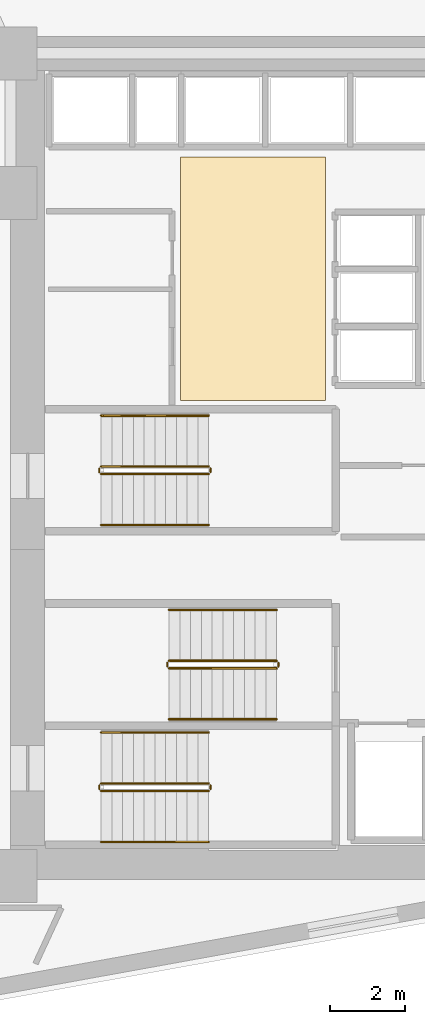
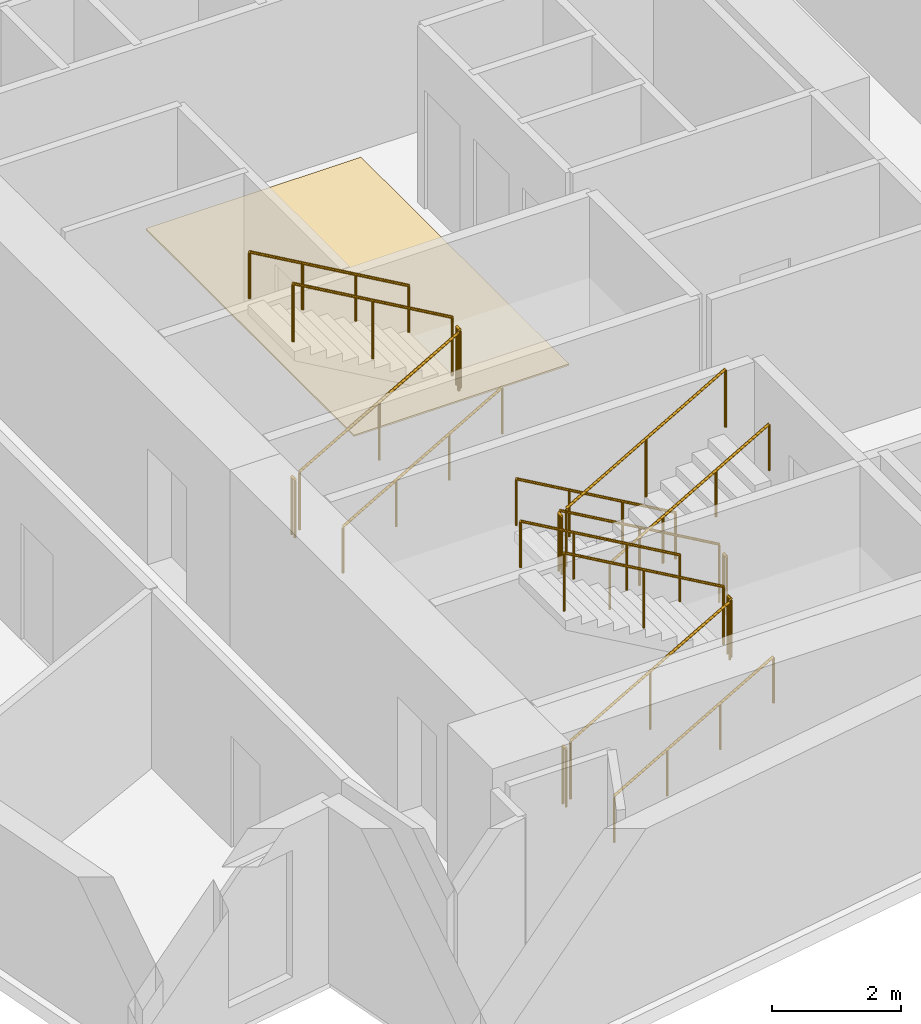
# One storey, part 17 of 18: 18 railings, 1 covering.
"""IFC4 building model written with IfcOpenShell, lengths in metres."""

from ifc_helpers import new_model, si_unit, direction, frame, origin, origin_2d, place, context, subcontext, project, spatial, polyline, circle, outline, extrude, material, layer, layer_set, type_object, element, save


model = new_model("IFC4")

# Units and contexts
model_context = context("Model", 3, precision=1e-05, world=origin(), true_north=direction((0.0, 1.0)))
body_context = subcontext(model_context, "Body", "Model", "MODEL_VIEW")
ifc_project = project(units=[si_unit("LENGTHUNIT", "METRE"), si_unit("AREAUNIT", "SQUARE_METRE"), si_unit("VOLUMEUNIT", "CUBIC_METRE"), si_unit("PLANEANGLEUNIT", "RADIAN"), si_unit("MASSUNIT", "GRAM", prefix="KILO")], contexts=[model_context])

# Site, building, storey
site_placement = place(None, origin())
site = spatial("IfcSite", under=ifc_project, at=site_placement, CompositionType="ELEMENT")
building_placement = place(site_placement, origin())
building = spatial("IfcBuilding", under=site, at=building_placement, Name="Narakoshi Arena Tower", CompositionType="ELEMENT")
storey_placement = place(building_placement, frame((0.0, 0.0, 102.89990234375)))
storey = spatial("IfcBuildingStorey", under=building, at=storey_placement, Name="L27", CompositionType="ELEMENT", Elevation=102.89990234375)

# Covering
ifc_material_1 = material(Name="Honed granite stone paving", Category="masonry")
ifc_layer = layer(ifc_material_1, 0.030029296875)
ifc_layer_set = layer_set([ifc_layer], Name="Honed granite stone paving")
covering_type = type_object("IfcCoveringType", Name="COV-FLR-ST30", PredefinedType="FLOORING", material=ifc_layer_set)
covering_placement = place(storey_placement, origin())
element("IfcCovering", 1, at=covering_placement, inside=storey, type_object=covering_type, Name="L27 Lift Lobby Granite Flooring", PredefinedType="FLOORING", context=body_context, shape_type="SweptSolid", body=[
    extrude(outline(polyline([(76.5, 47.300048828125), (80.35009765625, 47.300048828125), (80.35009765625, 53.75), (76.5, 53.75), (76.5, 47.300048828125)])), origin(), (0.0, 0.0, 1.0), 0.030029296875),
])

# Railings
ifc_material_2 = material(Name="Clear low-iron laminated structural glass", Category="glass")
railing_type_1 = type_object("IfcRailingType", Name="RL-BAL-1100", PredefinedType="BALUSTRADE", material=ifc_material_2)
railing_1_placement = place(storey_placement, frame((74.39990234375, 36.949951171875, 0.163818359375)))
element("IfcRailing", 2, at=railing_1_placement, inside=storey, type_object=railing_type_1, Name="L27 ST1 stair guard 1", PredefinedType="BALUSTRADE", context=body_context, shape_type="SweptSolid", body=[
    extrude(circle(Radius=0.02392578125, at=origin_2d()), frame((0.0, 0.0, 1.09619140625), z_axis=(0.867244780686, 0.0, 0.497882004468), x_axis=(0.0, 1.0, 0.0)), (0.0, 0.0, 1.0), 3.286376953125),
    extrude(circle(Radius=0.02099609375, at=origin_2d()), origin(), (0.0, 0.0, 1.0), 1.072021484375),
    extrude(circle(Radius=0.02099609375, at=origin_2d()), frame((1.425048828125, 0.0, 0.818115234375)), (0.0, 0.0, 1.0), 1.072021484375),
    extrude(circle(Radius=0.02099609375, at=origin_2d()), frame((2.85009765625, 0.0, 1.63623046875)), (0.0, 0.0, 1.0), 1.072021484375),
])
railing_2_placement = place(storey_placement, frame((77.300048828125, 37.0, 1.800048828125)))
element("IfcRailing", 3, at=railing_2_placement, inside=storey, type_object=railing_type_1, Name="L27 ST1 stair guard 2", PredefinedType="BALUSTRADE", context=body_context, shape_type="SweptSolid", body=[
    extrude(circle(Radius=0.02392578125, at=origin_2d()), frame((0.0, 0.0, 1.09619140625), z_axis=(0.0, 1.0, 0.0), x_axis=(-1.0, 0.0, 0.0)), (0.0, 0.0, 1.0), 0.10009765625),
    extrude(circle(Radius=0.02099609375, at=origin_2d()), origin(), (0.0, 0.0, 1.0), 1.072021484375),
    extrude(circle(Radius=0.02099609375, at=origin_2d()), frame((0.0, 0.10009765625, 0.0)), (0.0, 0.0, 1.0), 1.072021484375),
])
railing_3_placement = place(storey_placement, frame((77.25, 37.14990234375, 1.963623046875)))
element("IfcRailing", 4, at=railing_3_placement, inside=storey, type_object=railing_type_1, Name="L27 ST1 stair guard 3", PredefinedType="BALUSTRADE", context=body_context, shape_type="SweptSolid", body=[
    extrude(circle(Radius=0.02392578125, at=origin_2d()), frame((0.0, 0.0, 1.09619140625), z_axis=(-0.86721270334, 0.0, 0.497937874806), x_axis=(0.0, -1.0, 0.0)), (0.0, 0.0, 1.0), 3.28662109375),
    extrude(circle(Radius=0.02099609375, at=origin_2d()), origin(), (0.0, 0.0, 1.0), 1.072021484375),
    extrude(circle(Radius=0.02099609375, at=origin_2d()), frame((-1.425048828125, 0.0, 0.818359375)), (0.0, 0.0, 1.0), 1.072021484375),
    extrude(circle(Radius=0.02099609375, at=origin_2d()), frame((-2.85009765625, 0.0, 1.636474609375)), (0.0, 0.0, 1.0), 1.072021484375),
])
railing_4_placement = place(storey_placement, frame((74.35009765625, 37.0, 0.0)))
element("IfcRailing", 5, at=railing_4_placement, inside=storey, type_object=railing_type_1, Name="L27 ST1 stair guard 4", PredefinedType="BALUSTRADE", context=body_context, shape_type="SweptSolid", body=[
    extrude(circle(Radius=0.02392578125, at=origin_2d()), frame((0.0, 0.0, 1.09619140625), z_axis=(0.0, 1.0, 0.0), x_axis=(-1.0, 0.0, 0.0)), (0.0, 0.0, 1.0), 0.10009765625),
    extrude(circle(Radius=0.02099609375, at=origin_2d()), origin(), (0.0, 0.0, 1.0), 1.072021484375),
    extrude(circle(Radius=0.02099609375, at=origin_2d()), frame((0.0, 0.10009765625, 0.0)), (0.0, 0.0, 1.0), 1.072021484375),
])
railing_5_placement = place(storey_placement, frame((79.050048828125, 40.39990234375, 0.163818359375)))
element("IfcRailing", 6, at=railing_5_placement, inside=storey, type_object=railing_type_1, Name="L27 ST2 stair guard 1", PredefinedType="BALUSTRADE", context=body_context, shape_type="SweptSolid", body=[
    extrude(circle(Radius=0.02392578125, at=origin_2d()), frame((0.0, 0.0, 1.09619140625), z_axis=(-0.867244780686, 0.0, 0.497882004468), x_axis=(0.0, -1.0, 0.0)), (0.0, 0.0, 1.0), 3.286376953125),
    extrude(circle(Radius=0.02099609375, at=origin_2d()), origin(), (0.0, 0.0, 1.0), 1.072021484375),
    extrude(circle(Radius=0.02099609375, at=origin_2d()), frame((-1.425048828125, 0.0, 0.818115234375)), (0.0, 0.0, 1.0), 1.072021484375),
    extrude(circle(Radius=0.02099609375, at=origin_2d()), frame((-2.85009765625, 0.0, 1.63623046875)), (0.0, 0.0, 1.0), 1.072021484375),
])
railing_6_placement = place(storey_placement, frame((76.14990234375, 40.35009765625, 1.800048828125)))
element("IfcRailing", 7, at=railing_6_placement, inside=storey, type_object=railing_type_1, Name="L27 ST2 stair guard 2", PredefinedType="BALUSTRADE", context=body_context, shape_type="SweptSolid", body=[
    extrude(circle(Radius=0.02392578125, at=origin_2d()), frame((0.0, 0.0, 1.09619140625), z_axis=(0.0, -1.0, 0.0), x_axis=(1.0, 0.0, 0.0)), (0.0, 0.0, 1.0), 0.10009765625),
    extrude(circle(Radius=0.02099609375, at=origin_2d()), origin(), (0.0, 0.0, 1.0), 1.072021484375),
    extrude(circle(Radius=0.02099609375, at=origin_2d()), frame((0.0, -0.10009765625, 0.0)), (0.0, 0.0, 1.0), 1.072021484375),
])
railing_7_placement = place(storey_placement, frame((76.199951171875, 40.199951171875, 1.963623046875)))
element("IfcRailing", 8, at=railing_7_placement, inside=storey, type_object=railing_type_1, Name="L27 ST2 stair guard 3", PredefinedType="BALUSTRADE", context=body_context, shape_type="SweptSolid", body=[
    extrude(circle(Radius=0.02392578125, at=origin_2d()), frame((0.0, 0.0, 1.09619140625), z_axis=(0.86721270334, 0.0, 0.497937874806), x_axis=(0.0, 1.0, 0.0)), (0.0, 0.0, 1.0), 3.28662109375),
    extrude(circle(Radius=0.02099609375, at=origin_2d()), origin(), (0.0, 0.0, 1.0), 1.072021484375),
    extrude(circle(Radius=0.02099609375, at=origin_2d()), frame((1.425048828125, 0.0, 0.818359375)), (0.0, 0.0, 1.0), 1.072021484375),
    extrude(circle(Radius=0.02099609375, at=origin_2d()), frame((2.85009765625, 0.0, 1.636474609375)), (0.0, 0.0, 1.0), 1.072021484375),
])
railing_8_placement = place(storey_placement, frame((79.10009765625, 40.35009765625, 0.0)))
element("IfcRailing", 9, at=railing_8_placement, inside=storey, type_object=railing_type_1, Name="L27 ST2 stair guard 4", PredefinedType="BALUSTRADE", context=body_context, shape_type="SweptSolid", body=[
    extrude(circle(Radius=0.02392578125, at=origin_2d()), frame((0.0, 0.0, 1.09619140625), z_axis=(0.0, -1.0, 0.0), x_axis=(1.0, 0.0, 0.0)), (0.0, 0.0, 1.0), 0.10009765625),
    extrude(circle(Radius=0.02099609375, at=origin_2d()), origin(), (0.0, 0.0, 1.0), 1.072021484375),
    extrude(circle(Radius=0.02099609375, at=origin_2d()), frame((0.0, -0.10009765625, 0.0)), (0.0, 0.0, 1.0), 1.072021484375),
])
railing_9_placement = place(storey_placement, frame((74.39990234375, 45.35009765625, 0.163818359375)))
element("IfcRailing", 10, at=railing_9_placement, inside=storey, type_object=railing_type_1, Name="L27 ST3 stair guard 1", PredefinedType="BALUSTRADE", context=body_context, shape_type="SweptSolid", body=[
    extrude(circle(Radius=0.02392578125, at=origin_2d()), frame((0.0, 0.0, 1.09619140625), z_axis=(0.867244780686, 0.0, 0.497882004468), x_axis=(0.0, 1.0, 0.0)), (0.0, 0.0, 1.0), 3.286376953125),
    extrude(circle(Radius=0.02099609375, at=origin_2d()), origin(), (0.0, 0.0, 1.0), 1.072021484375),
    extrude(circle(Radius=0.02099609375, at=origin_2d()), frame((1.425048828125, 0.0, 0.818115234375)), (0.0, 0.0, 1.0), 1.072021484375),
    extrude(circle(Radius=0.02099609375, at=origin_2d()), frame((2.85009765625, 0.0, 1.63623046875)), (0.0, 0.0, 1.0), 1.072021484375),
])
railing_10_placement = place(storey_placement, frame((77.300048828125, 45.39990234375, 1.800048828125)))
element("IfcRailing", 11, at=railing_10_placement, inside=storey, type_object=railing_type_1, Name="L27 ST3 stair guard 2", PredefinedType="BALUSTRADE", context=body_context, shape_type="SweptSolid", body=[
    extrude(circle(Radius=0.02392578125, at=origin_2d()), frame((0.0, 0.0, 1.09619140625), z_axis=(0.0, 1.0, 0.0), x_axis=(-1.0, 0.0, 0.0)), (0.0, 0.0, 1.0), 0.10009765625),
    extrude(circle(Radius=0.02099609375, at=origin_2d()), origin(), (0.0, 0.0, 1.0), 1.072021484375),
    extrude(circle(Radius=0.02099609375, at=origin_2d()), frame((0.0, 0.10009765625, 0.0)), (0.0, 0.0, 1.0), 1.072021484375),
])
railing_11_placement = place(storey_placement, frame((77.25, 45.550048828125, 1.963623046875)))
element("IfcRailing", 12, at=railing_11_placement, inside=storey, type_object=railing_type_1, Name="L27 ST3 stair guard 3", PredefinedType="BALUSTRADE", context=body_context, shape_type="SweptSolid", body=[
    extrude(circle(Radius=0.02392578125, at=origin_2d()), frame((0.0, 0.0, 1.09619140625), z_axis=(-0.86721270334, 0.0, 0.497937874806), x_axis=(0.0, -1.0, 0.0)), (0.0, 0.0, 1.0), 3.28662109375),
    extrude(circle(Radius=0.02099609375, at=origin_2d()), origin(), (0.0, 0.0, 1.0), 1.072021484375),
    extrude(circle(Radius=0.02099609375, at=origin_2d()), frame((-1.425048828125, 0.0, 0.818359375)), (0.0, 0.0, 1.0), 1.072021484375),
    extrude(circle(Radius=0.02099609375, at=origin_2d()), frame((-2.85009765625, 0.0, 1.636474609375)), (0.0, 0.0, 1.0), 1.072021484375),
])
railing_12_placement = place(storey_placement, frame((74.35009765625, 45.39990234375, 0.0)))
element("IfcRailing", 13, at=railing_12_placement, inside=storey, type_object=railing_type_1, Name="L27 ST3 stair guard 4", PredefinedType="BALUSTRADE", context=body_context, shape_type="SweptSolid", body=[
    extrude(circle(Radius=0.02392578125, at=origin_2d()), frame((0.0, 0.0, 1.09619140625), z_axis=(0.0, 1.0, 0.0), x_axis=(-1.0, 0.0, 0.0)), (0.0, 0.0, 1.0), 0.10009765625),
    extrude(circle(Radius=0.02099609375, at=origin_2d()), origin(), (0.0, 0.0, 1.0), 1.072021484375),
    extrude(circle(Radius=0.02099609375, at=origin_2d()), frame((0.0, 0.10009765625, 0.0)), (0.0, 0.0, 1.0), 1.072021484375),
])
ifc_material_3 = material(Name="Brushed bronze stainless steel", Category="steel")
railing_type_2 = type_object("IfcRailingType", Name="RL-HND-900", PredefinedType="HANDRAIL", material=ifc_material_3)
railing_13_placement = place(storey_placement, frame((74.39990234375, 35.60009765625, 0.163818359375)))
element("IfcRailing", 14, at=railing_13_placement, inside=storey, type_object=railing_type_2, Name="L27 ST1 stair handrail 1", PredefinedType="HANDRAIL", context=body_context, shape_type="SweptSolid", body=[
    extrude(circle(Radius=0.02392578125, at=origin_2d()), frame((0.0, 0.0, 0.8759765625), z_axis=(0.867244780686, 0.0, 0.497882004468), x_axis=(0.0, 1.0, 0.0)), (0.0, 0.0, 1.0), 3.286376953125),
    extrude(circle(Radius=0.02099609375, at=origin_2d()), origin(), (0.0, 0.0, 1.0), 0.851806640625),
    extrude(circle(Radius=0.02099609375, at=origin_2d()), frame((0.949951171875, 0.0, 0.54541015625)), (0.0, 0.0, 1.0), 0.851806640625),
    extrude(circle(Radius=0.02099609375, at=origin_2d()), frame((1.900146484375, 0.0, 1.0908203125)), (0.0, 0.0, 1.0), 0.851806640625),
    extrude(circle(Radius=0.02099609375, at=origin_2d()), frame((2.85009765625, 0.0, 1.63623046875)), (0.0, 0.0, 1.0), 0.851806640625),
])
railing_14_placement = place(storey_placement, frame((77.25, 38.5, 1.963623046875)))
element("IfcRailing", 15, at=railing_14_placement, inside=storey, type_object=railing_type_2, Name="L27 ST1 stair handrail 2", PredefinedType="HANDRAIL", context=body_context, shape_type="SweptSolid", body=[
    extrude(circle(Radius=0.02392578125, at=origin_2d()), frame((0.0, 0.0, 0.8759765625), z_axis=(-0.86721270334, 0.0, 0.497937874806), x_axis=(0.0, -1.0, 0.0)), (0.0, 0.0, 1.0), 3.28662109375),
    extrude(circle(Radius=0.02099609375, at=origin_2d()), origin(), (0.0, 0.0, 1.0), 0.851806640625),
    extrude(circle(Radius=0.02099609375, at=origin_2d()), frame((-0.949951171875, 0.0, 0.54541015625)), (0.0, 0.0, 1.0), 0.851806640625),
    extrude(circle(Radius=0.02099609375, at=origin_2d()), frame((-1.900146484375, 0.0, 1.091064453125)), (0.0, 0.0, 1.0), 0.851806640625),
    extrude(circle(Radius=0.02099609375, at=origin_2d()), frame((-2.85009765625, 0.0, 1.636474609375)), (0.0, 0.0, 1.0), 0.851806640625),
])
railing_15_placement = place(storey_placement, frame((79.050048828125, 41.75, 0.163818359375)))
element("IfcRailing", 16, at=railing_15_placement, inside=storey, type_object=railing_type_2, Name="L27 ST2 stair handrail 1", PredefinedType="HANDRAIL", context=body_context, shape_type="SweptSolid", body=[
    extrude(circle(Radius=0.02392578125, at=origin_2d()), frame((0.0, 0.0, 0.8759765625), z_axis=(-0.867244780686, 0.0, 0.497882004468), x_axis=(0.0, -1.0, 0.0)), (0.0, 0.0, 1.0), 3.286376953125),
    extrude(circle(Radius=0.02099609375, at=origin_2d()), origin(), (0.0, 0.0, 1.0), 0.851806640625),
    extrude(circle(Radius=0.02099609375, at=origin_2d()), frame((-0.949951171875, 0.0, 0.54541015625)), (0.0, 0.0, 1.0), 0.851806640625),
    extrude(circle(Radius=0.02099609375, at=origin_2d()), frame((-1.900146484375, 0.0, 1.0908203125)), (0.0, 0.0, 1.0), 0.851806640625),
    extrude(circle(Radius=0.02099609375, at=origin_2d()), frame((-2.85009765625, 0.0, 1.63623046875)), (0.0, 0.0, 1.0), 0.851806640625),
])
railing_16_placement = place(storey_placement, frame((76.199951171875, 38.85009765625, 1.963623046875)))
element("IfcRailing", 17, at=railing_16_placement, inside=storey, type_object=railing_type_2, Name="L27 ST2 stair handrail 2", PredefinedType="HANDRAIL", context=body_context, shape_type="SweptSolid", body=[
    extrude(circle(Radius=0.02392578125, at=origin_2d()), frame((0.0, 0.0, 0.8759765625), z_axis=(0.86721270334, 0.0, 0.497937874806), x_axis=(0.0, 1.0, 0.0)), (0.0, 0.0, 1.0), 3.28662109375),
    extrude(circle(Radius=0.02099609375, at=origin_2d()), origin(), (0.0, 0.0, 1.0), 0.851806640625),
    extrude(circle(Radius=0.02099609375, at=origin_2d()), frame((0.949951171875, 0.0, 0.54541015625)), (0.0, 0.0, 1.0), 0.851806640625),
    extrude(circle(Radius=0.02099609375, at=origin_2d()), frame((1.900146484375, 0.0, 1.091064453125)), (0.0, 0.0, 1.0), 0.851806640625),
    extrude(circle(Radius=0.02099609375, at=origin_2d()), frame((2.85009765625, 0.0, 1.636474609375)), (0.0, 0.0, 1.0), 0.851806640625),
])
railing_17_placement = place(storey_placement, frame((74.39990234375, 44.0, 0.163818359375)))
element("IfcRailing", 18, at=railing_17_placement, inside=storey, type_object=railing_type_2, Name="L27 ST3 stair handrail 1", PredefinedType="HANDRAIL", context=body_context, shape_type="SweptSolid", body=[
    extrude(circle(Radius=0.02392578125, at=origin_2d()), frame((0.0, 0.0, 0.8759765625), z_axis=(0.867244780686, 0.0, 0.497882004468), x_axis=(0.0, 1.0, 0.0)), (0.0, 0.0, 1.0), 3.286376953125),
    extrude(circle(Radius=0.02099609375, at=origin_2d()), origin(), (0.0, 0.0, 1.0), 0.851806640625),
    extrude(circle(Radius=0.02099609375, at=origin_2d()), frame((0.949951171875, 0.0, 0.54541015625)), (0.0, 0.0, 1.0), 0.851806640625),
    extrude(circle(Radius=0.02099609375, at=origin_2d()), frame((1.900146484375, 0.0, 1.0908203125)), (0.0, 0.0, 1.0), 0.851806640625),
    extrude(circle(Radius=0.02099609375, at=origin_2d()), frame((2.85009765625, 0.0, 1.63623046875)), (0.0, 0.0, 1.0), 0.851806640625),
])
railing_18_placement = place(storey_placement, frame((77.25, 46.89990234375, 1.963623046875)))
element("IfcRailing", 19, at=railing_18_placement, inside=storey, type_object=railing_type_2, Name="L27 ST3 stair handrail 2", PredefinedType="HANDRAIL", context=body_context, shape_type="SweptSolid", body=[
    extrude(circle(Radius=0.02392578125, at=origin_2d()), frame((0.0, 0.0, 0.8759765625), z_axis=(-0.86721270334, 0.0, 0.497937874806), x_axis=(0.0, -1.0, 0.0)), (0.0, 0.0, 1.0), 3.28662109375),
    extrude(circle(Radius=0.02099609375, at=origin_2d()), origin(), (0.0, 0.0, 1.0), 0.851806640625),
    extrude(circle(Radius=0.02099609375, at=origin_2d()), frame((-0.949951171875, 0.0, 0.54541015625)), (0.0, 0.0, 1.0), 0.851806640625),
    extrude(circle(Radius=0.02099609375, at=origin_2d()), frame((-1.900146484375, 0.0, 1.091064453125)), (0.0, 0.0, 1.0), 0.851806640625),
    extrude(circle(Radius=0.02099609375, at=origin_2d()), frame((-2.85009765625, 0.0, 1.636474609375)), (0.0, 0.0, 1.0), 0.851806640625),
])

save(model, "model.ifc")
